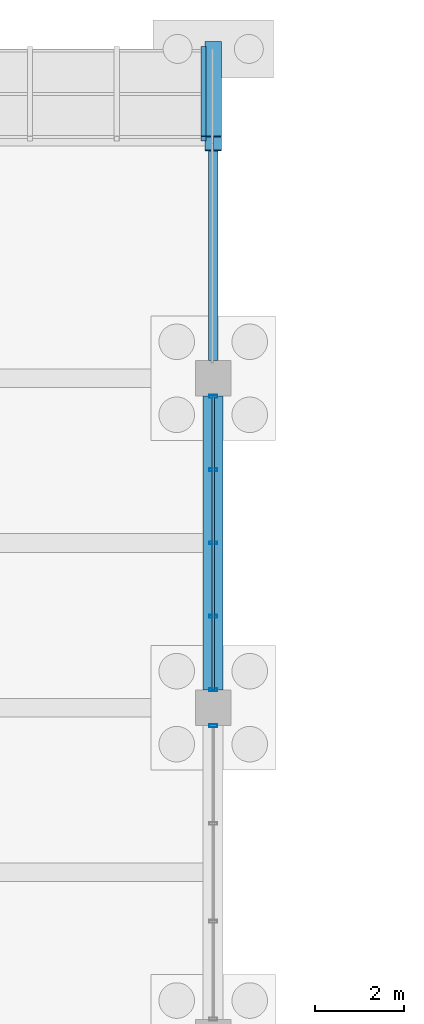
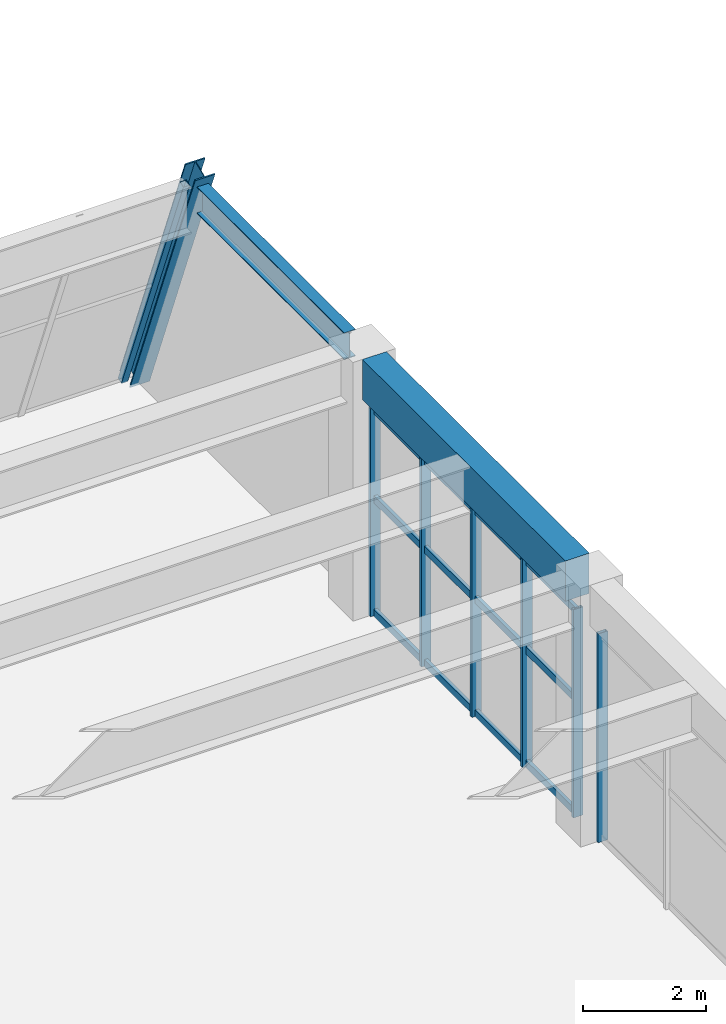
# One storey, part 89 of 140: 11 members, 2 beams, 3 elements without a shape of their own.
"""IFC4 building model written with IfcOpenShell, lengths in metres."""

from ifc_helpers import new_model, si_unit, direction, frame, origin, origin_2d, place, context, subcontext, project, spatial, rectangle, hollow_rectangle, i_section, extrude, material, material_profile, profile_set, type_object, element, aggregate, save


model = new_model("IFC4")

# Units and contexts
model_context = context("Model", 3, precision=1e-05, world=origin(), true_north=direction((0.0, 1.0)))
body_context = subcontext(model_context, "Body", "Model", "MODEL_VIEW")
ifc_project = project(units=[si_unit("LENGTHUNIT", "METRE"), si_unit("AREAUNIT", "SQUARE_METRE"), si_unit("VOLUMEUNIT", "CUBIC_METRE"), si_unit("PLANEANGLEUNIT", "RADIAN"), si_unit("MASSUNIT", "GRAM", prefix="KILO")], contexts=[model_context])

# Site, building, storey
site_placement = place(None, origin())
site = spatial("IfcSite", under=ifc_project, at=site_placement, CompositionType="ELEMENT")
building_placement = place(site_placement, origin())
building = spatial("IfcBuilding", under=site, at=building_placement, Name="Cimatlan Art Gallery", CompositionType="ELEMENT")
storey_placement = place(building_placement, origin())
storey = spatial("IfcBuildingStorey", under=building, at=storey_placement, Name="L00", CompositionType="ELEMENT", Elevation=0.0)

# Beams
ifc_material_1 = material(Name="Concrete C40/50", Category="concrete")
ifc_material_profile_1 = material_profile(ifc_material_1, rectangle(XDim=0.449951171875, YDim=0.800048828125, at=origin_2d()), Name="RC450X800")
ifc_profile_set_1 = profile_set([ifc_material_profile_1], Name="Concrete C40/50")
beam_type_1 = type_object("IfcBeamType", Name="BM-RC-450X800", PredefinedType="BEAM", material=ifc_profile_set_1)
beam_1_placement = place(storey_placement, frame((99.199951171875, 98.300048828125, 4.735107421875), z_axis=(0.0, 1.0, 0.0), x_axis=(-1.0, 0.0, 0.0)))
element("IfcBeam", 1, at=beam_1_placement, inside=storey, type_object=beam_type_1, Name="BM-Y-L00-12-13", PredefinedType="BEAM", context=body_context, shape_type="SweptSolid", body=[
    extrude(rectangle(XDim=0.449951171875, YDim=0.800048828125, at=origin_2d()), origin(), (0.0, 0.0, 1.0), 6.599853515625),
])
ifc_material_2 = material(Name="Steel ASTM A992 Grade 50", Category="steel")
ifc_material_profile_2 = material_profile(ifc_material_2, i_section(OverallWidth=0.2099609375, OverallDepth=0.532958984375, WebThickness=0.01025390625, FlangeThickness=0.015625, at=origin_2d()), Name="W21X62")
ifc_profile_set_2 = profile_set([ifc_material_profile_2], Name="Steel ASTM A992 Grade 50")
beam_type_2 = type_object("IfcBeamType", Name="BM-STL-W21X62", PredefinedType="BEAM", material=ifc_profile_set_2)
beam_2_placement = place(storey_placement, frame((99.199951171875, 105.699951171875, 4.868408203125), z_axis=(0.0, 1.0, 0.0), x_axis=(-1.0, 0.0, 0.0)))
element("IfcBeam", 2, at=beam_2_placement, inside=storey, type_object=beam_type_2, Name="BM-PRW-Y-L00-B3-12", PredefinedType="BEAM", context=body_context, shape_type="SweptSolid", body=[
    extrude(i_section(OverallWidth=0.2099609375, OverallDepth=0.532958984375, WebThickness=0.01025390625, FlangeThickness=0.015625, at=origin_2d()), origin(), (0.0, 0.0, 1.0), 4.787353515625),
])

# Curtain wall, member
ifc_material_3 = material(Name="Anodised bronze unitised curtain wall")
curtain_wall_type_1 = type_object("IfcCurtainWallType", Name="CW-V-06592X04148-B3", PredefinedType="NOTDEFINED", material=ifc_material_3)
curtain_wall_1_placement = place(storey_placement, origin())
curtain_wall_1 = element("IfcCurtainWall", 3, at=curtain_wall_1_placement, inside=storey, type_object=curtain_wall_type_1, Name="CW-L00-11-12-E", PredefinedType="NOTDEFINED")
ifc_material_4 = material(Name="Anodised bronze aluminium 6063-T6", Category="aluminium")
ifc_material_profile_3 = material_profile(ifc_material_4, hollow_rectangle(XDim=0.06494140625, YDim=0.179931640625, WallThickness=0.00390625, at=origin_2d()), Name="ALU65X180X4")
ifc_profile_set_3 = profile_set([ifc_material_profile_3], Name="Anodised bronze aluminium 6063-T6")
member_type_1 = type_object("IfcMemberType", Name="CW-MUL-180", PredefinedType="MULLION", material=ifc_profile_set_3)
member_1_placement = place(storey_placement, frame((99.199951171875, 97.49609375, 0.0), z_axis=(0.0, 0.0, 1.0), x_axis=(0.0, 1.0, 0.0)))
member_1 = element("IfcMember", 4, at=member_1_placement, type_object=member_type_1, Name="CW-L00-11-12-E-M1", PredefinedType="MULLION", context=body_context, shape_type="SweptSolid", body=[
    extrude(hollow_rectangle(XDim=0.06494140625, YDim=0.179931640625, WallThickness=0.00390625, at=origin_2d()), origin(), (0.0, 0.0, 1.0), 4.14794921875),
])
aggregate(curtain_wall_1, [member_1])

# Curtain wall, members
curtain_wall_type_2 = type_object("IfcCurtainWallType", Name="CW-V-06592X04133-B4", PredefinedType="NOTDEFINED", material=ifc_material_3)
curtain_wall_2_placement = place(storey_placement, origin())
curtain_wall_2 = element("IfcCurtainWall", 5, at=curtain_wall_2_placement, inside=storey, type_object=curtain_wall_type_2, Name="CW-L00-11-13-E", PredefinedType="NOTDEFINED")
member_2_placement = place(storey_placement, frame((99.199951171875, 104.89599609375, 0.0), z_axis=(0.0, 0.0, 1.0), x_axis=(0.0, 1.0, 0.0)))
member_2 = element("IfcMember", 6, at=member_2_placement, type_object=member_type_1, Name="CW-L00-11-13-E-M1", PredefinedType="MULLION", context=body_context, shape_type="SweptSolid", body=[
    extrude(hollow_rectangle(XDim=0.06494140625, YDim=0.179931640625, WallThickness=0.00390625, at=origin_2d()), origin(), (0.0, 0.0, 1.0), 4.133056640625),
])
member_3_placement = place(storey_placement, frame((99.199951171875, 103.248046875, 0.0), z_axis=(0.0, 0.0, 1.0), x_axis=(0.0, 1.0, 0.0)))
member_3 = element("IfcMember", 7, at=member_3_placement, type_object=member_type_1, Name="CW-L00-11-13-E-M2", PredefinedType="MULLION", context=body_context, shape_type="SweptSolid", body=[
    extrude(hollow_rectangle(XDim=0.06494140625, YDim=0.179931640625, WallThickness=0.00390625, at=origin_2d()), origin(), (0.0, 0.0, 1.0), 4.133056640625),
])
member_4_placement = place(storey_placement, frame((99.199951171875, 101.60009765625, 0.0), z_axis=(0.0, 0.0, 1.0), x_axis=(0.0, 1.0, 0.0)))
member_4 = element("IfcMember", 8, at=member_4_placement, type_object=member_type_1, Name="CW-L00-11-13-E-M3", PredefinedType="MULLION", context=body_context, shape_type="SweptSolid", body=[
    extrude(hollow_rectangle(XDim=0.06494140625, YDim=0.179931640625, WallThickness=0.00390625, at=origin_2d()), origin(), (0.0, 0.0, 1.0), 4.133056640625),
])
member_5_placement = place(storey_placement, frame((99.199951171875, 99.951904296875, 0.0), z_axis=(0.0, 0.0, 1.0), x_axis=(0.0, 1.0, 0.0)))
member_5 = element("IfcMember", 9, at=member_5_placement, type_object=member_type_1, Name="CW-L00-11-13-E-M4", PredefinedType="MULLION", context=body_context, shape_type="SweptSolid", body=[
    extrude(hollow_rectangle(XDim=0.06494140625, YDim=0.179931640625, WallThickness=0.00390625, at=origin_2d()), origin(), (0.0, 0.0, 1.0), 4.133056640625),
])
member_6_placement = place(storey_placement, frame((99.199951171875, 98.303955078125, 0.0), z_axis=(0.0, 0.0, 1.0), x_axis=(0.0, 1.0, 0.0)))
member_6 = element("IfcMember", 10, at=member_6_placement, type_object=member_type_1, Name="CW-L00-11-13-E-M5", PredefinedType="MULLION", context=body_context, shape_type="SweptSolid", body=[
    extrude(hollow_rectangle(XDim=0.06494140625, YDim=0.179931640625, WallThickness=0.00390625, at=origin_2d()), origin(), (0.0, 0.0, 1.0), 4.133056640625),
])

# Curtain wall, member
ifc_material_5 = material(Name="Raked steel-and-bronze lancet curtain wall", Category="steel")
curtain_wall_type_3 = type_object("IfcCurtainWallType", Name="CW-RAK-07790X05503-B4", PredefinedType="NOTDEFINED", material=ifc_material_5)
curtain_wall_3_placement = place(storey_placement, origin())
curtain_wall_3 = element("IfcCurtainWall", 11, at=curtain_wall_3_placement, inside=storey, type_object=curtain_wall_type_3, Name="CW-PROW-L00-B3-11", PredefinedType="NOTDEFINED")
ifc_material_6 = material(Name="Steel ASTM A500 Grade C", Category="steel")
ifc_material_profile_4 = material_profile(ifc_material_6, hollow_rectangle(XDim=0.1201171875, YDim=0.1201171875, WallThickness=0.00634765625, at=origin_2d()), Name="HSS120X120X6")
ifc_profile_set_4 = profile_set([ifc_material_profile_4], Name="Steel ASTM A500 Grade C")
member_type_2 = type_object("IfcMemberType", Name="CW-MUL-RAK", PredefinedType="MULLION", material=ifc_profile_set_4)
member_7_placement = place(storey_placement, frame((98.97998046875, 112.699951171875, 0.0), z_axis=(0.0, -0.366497751223, 0.930418937011), x_axis=(1.0, 0.0, 0.0)))
member_7 = element("IfcMember", 12, at=member_7_placement, type_object=member_type_2, Name="CW-PROW-L00-B3-11-M5", PredefinedType="MULLION", context=body_context, shape_type="SweptSolid", body=[
    extrude(hollow_rectangle(XDim=0.1201171875, YDim=0.1201171875, WallThickness=0.00634765625, at=origin_2d()), origin(), (0.0, 0.0, 1.0), 5.5029296875),
])
aggregate(curtain_wall_3, [member_7])

# Member
ifc_material_profile_5 = material_profile(ifc_material_4, hollow_rectangle(XDim=0.06494140625, YDim=0.139892578125, WallThickness=0.00390625, at=origin_2d()), Name="ALU65X140X4")
ifc_profile_set_5 = profile_set([ifc_material_profile_5], Name="Anodised bronze aluminium 6063-T6")
member_type_3 = type_object("IfcMemberType", Name="CW-TRN-140", PredefinedType="USERDEFINED", material=ifc_profile_set_5)
member_8_placement = place(storey_placement, frame((99.199951171875, 104.89599609375, 0.06005859375), z_axis=(0.0, -1.0, 0.0), x_axis=(1.0, 0.0, 0.0)))
member_8 = element("IfcMember", 13, at=member_8_placement, type_object=member_type_3, Name="CW-L00-11-13-E-T1", ObjectType="TRANSOM", PredefinedType="USERDEFINED", context=body_context, shape_type="SweptSolid", body=[
    extrude(hollow_rectangle(XDim=0.06494140625, YDim=0.139892578125, WallThickness=0.00390625, at=origin_2d()), origin(), (0.0, 0.0, 1.0), 6.592041015625),
])

member_9_placement = place(storey_placement, frame((99.199951171875, 104.89599609375, 2.314453125), z_axis=(0.0, -1.0, 0.0), x_axis=(1.0, 0.0, 0.0)))
member_9 = element("IfcMember", 14, at=member_9_placement, type_object=member_type_3, Name="CW-L00-11-13-E-T2", ObjectType="TRANSOM", PredefinedType="USERDEFINED", context=body_context, shape_type="SweptSolid", body=[
    extrude(hollow_rectangle(XDim=0.06494140625, YDim=0.139892578125, WallThickness=0.00390625, at=origin_2d()), origin(), (0.0, 0.0, 1.0), 6.592041015625),
])

member_10_placement = place(storey_placement, frame((99.199951171875, 104.89599609375, 4.072998046875), z_axis=(0.0, -1.0, 0.0), x_axis=(1.0, 0.0, 0.0)))
member_10 = element("IfcMember", 15, at=member_10_placement, type_object=member_type_3, Name="CW-L00-11-13-E-T3", ObjectType="TRANSOM", PredefinedType="USERDEFINED", context=body_context, shape_type="SweptSolid", body=[
    extrude(hollow_rectangle(XDim=0.06494140625, YDim=0.139892578125, WallThickness=0.00390625, at=origin_2d()), origin(), (0.0, 0.0, 1.0), 6.592041015625),
])

aggregate(curtain_wall_2, [member_2, member_3, member_4, member_5, member_6, member_8, member_9, member_10])

ifc_material_profile_6 = material_profile(ifc_material_2, i_section(OverallWidth=0.37109375, OverallDepth=0.364013671875, WebThickness=0.01318359375, FlangeThickness=0.021728515625, at=origin_2d()), Name="W14X109")
ifc_profile_set_6 = profile_set([ifc_material_profile_6], Name="Steel ASTM A992 Grade 50")
member_type_4 = type_object("IfcMemberType", Name="MBR-RAK-W14X109", PredefinedType="RAFTER", material=ifc_profile_set_6)
member_11_placement = place(storey_placement, frame((99.199951171875, 112.699951171875, 0.0), z_axis=(0.0, -0.366482585354, 0.930424910797), x_axis=(1.0, 0.0, 0.0)))
element("IfcMember", 16, at=member_11_placement, inside=storey, type_object=member_type_4, Name="MBR-RAK-L00-B3-12", PredefinedType="RAFTER", context=body_context, shape_type="SweptSolid", body=[
    extrude(i_section(OverallWidth=0.37109375, OverallDepth=0.364013671875, WebThickness=0.01318359375, FlangeThickness=0.021728515625, at=origin_2d()), origin(), (0.0, 0.0, 1.0), 5.8037109375),
])

save(model, "model.ifc")
